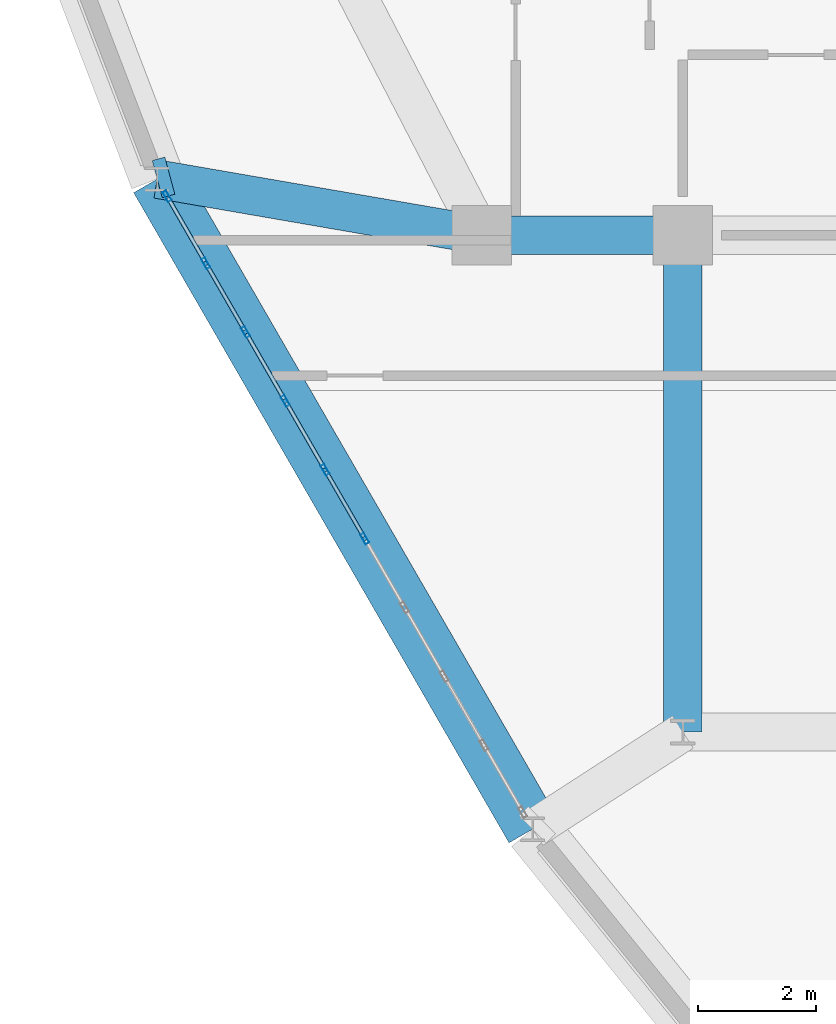
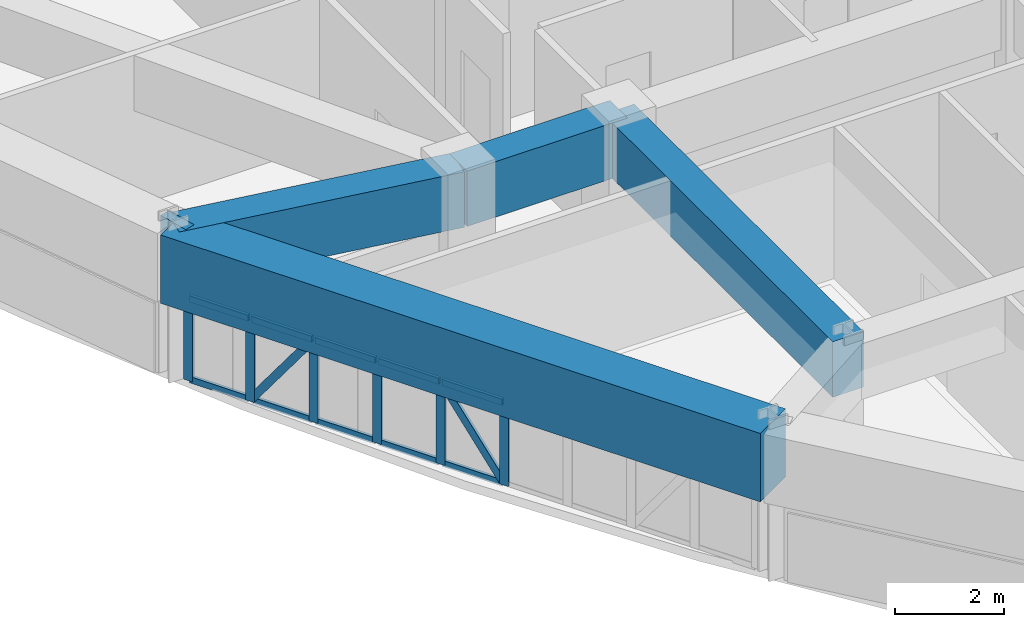
# One storey, part 4 of 14: 18 members, 5 beams, 1 element without a shape of its own.
"""IFC4 building model written with IfcOpenShell, lengths in metres."""

from ifc_helpers import new_model, si_unit, derived_unit, direction, frame, origin, origin_2d, place, context, subcontext, project, spatial, rectangle, hollow_rectangle, extrude, source, transform, mapped, material, layer, layer_set, material_profile, profile_set, type_object, element, aggregate, save


model = new_model("IFC4")

# Units and contexts
model_context = context("Model", 3, precision=1e-05, world=origin(), true_north=direction((0.0, 1.0)))
body_context = subcontext(model_context, "Body", "Model", "MODEL_VIEW")
ifc_project = project(units=[si_unit("LENGTHUNIT", "METRE"), si_unit("AREAUNIT", "SQUARE_METRE"), si_unit("VOLUMEUNIT", "CUBIC_METRE"), si_unit("PLANEANGLEUNIT", "RADIAN"), si_unit("MASSUNIT", "GRAM", prefix="KILO"), derived_unit("THERMALTRANSMITTANCEUNIT", [(si_unit("POWERUNIT", "WATT"), 1), (si_unit("LENGTHUNIT", "METRE"), -2), (si_unit("THERMODYNAMICTEMPERATUREUNIT", "KELVIN"), -1)])], contexts=[model_context])

# Site, building, storey
site_placement = place(None, origin())
site = spatial("IfcSite", under=ifc_project, at=site_placement, CompositionType="ELEMENT")
building_placement = place(site_placement, origin())
building = spatial("IfcBuilding", under=site, at=building_placement, Name="Korsvarv Bourse and Concert Hall", CompositionType="ELEMENT")
storey_placement = place(building_placement, frame((0.0, 0.0, 175.800048828125)))
storey = spatial("IfcBuildingStorey", under=building, at=storey_placement, Name="L45", CompositionType="ELEMENT", Elevation=175.800048828125)

# Beams
ifc_material_1 = material(Name="Concrete C50/60", Category="concrete")
ifc_material_profile_1 = material_profile(ifc_material_1, rectangle(XDim=0.64990234375, YDim=1.239990234375, at=origin_2d()), Name="RC-BM 650x1240")
ifc_profile_set_1 = profile_set([ifc_material_profile_1], Name="Concrete C50/60")
beam_type_1 = type_object("IfcBeamType", Name="BM-TR-SPN", PredefinedType="BEAM", material=ifc_profile_set_1)
shared_shape_1 = source(origin(), body_context, "Body", "SweptSolid", [
    extrude(rectangle(XDim=0.64990234375, YDim=1.239990234375, at=origin_2d()), origin(), (0.0, 0.0, 1.0), 3.400146484375),
])
beam_1_placement = place(storey_placement, frame((24.199951171875, 32.39990234375, 2.780029296875), z_axis=(1.0, 0.0, 0.0), x_axis=(0.0, 1.0, 0.0)))
element("IfcBeam", 1, at=beam_1_placement, inside=storey, type_object=beam_type_1, Name="L45 beam B-TRS", PredefinedType="BEAM", context=body_context, shape_type="MappedRepresentation", body=[
    mapped(shared_shape_1, transform((0.0, 0.0, 0.0), scale=1.0)),
])
shared_shape_2 = source(origin(), body_context, "Body", "SweptSolid", [
    extrude(rectangle(XDim=0.64990234375, YDim=1.239990234375, at=origin_2d()), origin(), (0.0, 0.0, 1.0), 8.39990234375),
])
beam_2_placement = place(storey_placement, frame((27.60009765625, 24.0, 2.780029296875), z_axis=(0.0, 1.0, 0.0), x_axis=(-1.0, 0.0, 0.0)))
element("IfcBeam", 2, at=beam_2_placement, inside=storey, type_object=beam_type_1, Name="L45 beam B-TRS", PredefinedType="BEAM", context=body_context, shape_type="MappedRepresentation", body=[
    mapped(shared_shape_2, transform((0.0, 0.0, 0.0), scale=1.0)),
])
ifc_material_profile_2 = material_profile(ifc_material_1, rectangle(XDim=0.919921875, YDim=1.530029296875, at=origin_2d()), Name="RC-BM 920x1530")
ifc_profile_set_2 = profile_set([ifc_material_profile_2], Name="Concrete C50/60")
beam_type_2 = type_object("IfcBeamType", Name="BM-TR-154", PredefinedType="BEAM", material=ifc_profile_set_2)
shared_shape_3 = source(origin(), body_context, "Body", "SweptSolid", [
    extrude(rectangle(XDim=0.919921875, YDim=1.530029296875, at=origin_2d()), origin(), (0.0, 0.0, 1.0), 12.692138671875),
])
beam_3_placement = place(storey_placement, frame((18.71435546875, 33.347900390625, 2.635009765625), z_axis=(0.499993308569, -0.866029267049, 0.0), x_axis=(0.866029267049, 0.499993308569, 0.0)))
element("IfcBeam", 3, at=beam_3_placement, inside=storey, type_object=beam_type_2, Name="L45 beam B-TR6", PredefinedType="BEAM", context=body_context, shape_type="MappedRepresentation", body=[
    mapped(shared_shape_3, transform((0.0, 0.0, 0.0), scale=1.0)),
])
shared_shape_4 = source(origin(), body_context, "Body", "SweptSolid", [
    extrude(rectangle(XDim=0.64990234375, YDim=1.239990234375, at=origin_2d()), origin(), (0.0, 0.0, 1.0), 5.56689453125),
])
beam_4_placement = place(storey_placement, frame((18.71435546875, 33.347900390625, 2.780029296875), z_axis=(0.985393700019, -0.170291679077, 0.0), x_axis=(0.170291679077, 0.985393700019, 0.0)))
element("IfcBeam", 4, at=beam_4_placement, inside=storey, type_object=beam_type_1, Name="L45 beam B-TRS", PredefinedType="BEAM", context=body_context, shape_type="MappedRepresentation", body=[
    mapped(shared_shape_4, transform((0.0, 0.0, 0.0), scale=1.0)),
])
shared_shape_5 = source(origin(), body_context, "Body", "SweptSolid", [
    extrude(rectangle(XDim=0.64990234375, YDim=1.239990234375, at=origin_2d()), origin(), (0.0, 0.0, 1.0), 0.220703125),
])
beam_5_placement = place(storey_placement, frame((18.71435546875, 33.347900390625, 2.780029296875), z_axis=(0.965348336517, 0.260964727856, 0.0), x_axis=(-0.260964727856, 0.965348336517, 0.0)))
element("IfcBeam", 5, at=beam_5_placement, inside=storey, type_object=beam_type_1, Name="L45 beam B-TRS", PredefinedType="BEAM", context=body_context, shape_type="MappedRepresentation", body=[
    mapped(shared_shape_5, transform((0.0, 0.0, 0.0), scale=1.0)),
])

# Curtain wall, members
ifc_material_2 = material(Name="Anodised aluminium and triple low-E glazing", Category="glass")
ifc_layer = layer(ifc_material_2, 0.199951171875)
ifc_layer_set = layer_set([ifc_layer], Name="Anodised aluminium and triple low-E glazing")
curtain_wall_type = type_object("IfcCurtainWallType", Name="CW-SYS-3", PredefinedType="NOTDEFINED", material=ifc_layer_set)
curtain_wall_placement = place(storey_placement, origin())
curtain_wall = element("IfcCurtainWall", 6, at=curtain_wall_placement, inside=storey, type_object=curtain_wall_type, Name="L45 CW3 curtain wall CW-L45-F07", PredefinedType="NOTDEFINED")
ifc_material_3 = material(Name="Extruded aluminium EN AW-6063 T66", Category="aluminium")
ifc_material_profile_3 = material_profile(ifc_material_3, hollow_rectangle(XDim=0.070068359375, YDim=0.18994140625, WallThickness=0.0048828125, at=origin_2d()), Name="ALU-M 70x190")
ifc_profile_set_3 = profile_set([ifc_material_profile_3], Name="Extruded aluminium EN AW-6063 T66")
member_type_1 = type_object("IfcMemberType", Name="CWM-190", PredefinedType="MULLION", material=ifc_profile_set_3)
shared_shape_6 = source(origin(), body_context, "Body", "SweptSolid", [
    extrude(hollow_rectangle(XDim=0.070068359375, YDim=0.18994140625, WallThickness=0.0048828125, at=origin_2d()), origin(), (0.0, 0.0, 1.0), 1.869873046875),
])
member_1_placement = place(storey_placement, frame((18.880859375, 33.0595703125, 0.0), z_axis=(0.0, 0.0, 1.0), x_axis=(0.866028642731, 0.499994389938, 0.0)))
member_1 = element("IfcMember", 7, at=member_1_placement, type_object=member_type_1, Name="CW3 mullion 1", PredefinedType="MULLION", context=body_context, shape_type="MappedRepresentation", body=[
    mapped(shared_shape_6, transform((0.0, 0.0, 0.0), scale=1.0)),
])
member_2_placement = place(storey_placement, frame((19.535400390625, 31.926025390625, 0.0), z_axis=(0.0, 0.0, 1.0), x_axis=(0.866028642731, 0.499994389938, 0.0)))
member_2 = element("IfcMember", 8, at=member_2_placement, type_object=member_type_1, Name="CW3 mullion 2", PredefinedType="MULLION", context=body_context, shape_type="MappedRepresentation", body=[
    mapped(shared_shape_6, transform((0.0, 0.0, 0.0), scale=1.0)),
])
member_3_placement = place(storey_placement, frame((20.20751953125, 30.761962890625, 0.0), z_axis=(0.0, 0.0, 1.0), x_axis=(0.866028642731, 0.499994389938, 0.0)))
member_3 = element("IfcMember", 9, at=member_3_placement, type_object=member_type_1, Name="CW3 mullion 3", PredefinedType="MULLION", context=body_context, shape_type="MappedRepresentation", body=[
    mapped(shared_shape_6, transform((0.0, 0.0, 0.0), scale=1.0)),
])
member_4_placement = place(storey_placement, frame((20.87939453125, 29.59814453125, 0.0), z_axis=(0.0, 0.0, 1.0), x_axis=(0.866028642731, 0.499994389938, 0.0)))
member_4 = element("IfcMember", 10, at=member_4_placement, type_object=member_type_1, Name="CW3 mullion 4", PredefinedType="MULLION", context=body_context, shape_type="MappedRepresentation", body=[
    mapped(shared_shape_6, transform((0.0, 0.0, 0.0), scale=1.0)),
])
member_5_placement = place(storey_placement, frame((21.551513671875, 28.43408203125, 0.0), z_axis=(0.0, 0.0, 1.0), x_axis=(0.866028642731, 0.499994389938, 0.0)))
member_5 = element("IfcMember", 11, at=member_5_placement, type_object=member_type_1, Name="CW3 mullion 5", PredefinedType="MULLION", context=body_context, shape_type="MappedRepresentation", body=[
    mapped(shared_shape_6, transform((0.0, 0.0, 0.0), scale=1.0)),
])
member_6_placement = place(storey_placement, frame((22.223388671875, 27.27001953125, 0.0), z_axis=(0.0, 0.0, 1.0), x_axis=(0.866028642731, 0.499994389938, 0.0)))
member_6 = element("IfcMember", 12, at=member_6_placement, type_object=member_type_1, Name="CW3 mullion 6", PredefinedType="MULLION", context=body_context, shape_type="MappedRepresentation", body=[
    mapped(shared_shape_6, transform((0.0, 0.0, 0.0), scale=1.0)),
])
ifc_material_profile_4 = material_profile(ifc_material_3, hollow_rectangle(XDim=0.06494140625, YDim=0.139892578125, WallThickness=0.00390625, at=origin_2d()), Name="ALU-T 65x140")
ifc_profile_set_4 = profile_set([ifc_material_profile_4], Name="Extruded aluminium EN AW-6063 T66")
member_type_2 = type_object("IfcMemberType", Name="CWT-140", PredefinedType="USERDEFINED", material=ifc_profile_set_4)
shared_shape_7 = source(origin(), body_context, "Body", "SweptSolid", [
    extrude(hollow_rectangle(XDim=0.06494140625, YDim=0.139892578125, WallThickness=0.00390625, at=origin_2d()), origin(), (0.0, 0.0, 1.0), 1.239013671875),
])
member_7_placement = place(storey_placement, frame((18.8984375, 33.029296875, 0.032470703125), z_axis=(0.499932836684, -0.86606417707, 0.0), x_axis=(0.86606417707, 0.499932836684, 0.0)))
member_7 = element("IfcMember", 13, at=member_7_placement, type_object=member_type_2, Name="CW3 transom 1.1", ObjectType="TRANSOM", PredefinedType="USERDEFINED", context=body_context, shape_type="MappedRepresentation", body=[
    mapped(shared_shape_7, transform((0.0, 0.0, 0.0), scale=1.0)),
])
member_8_placement = place(storey_placement, frame((18.8984375, 33.029296875, 1.83740234375), z_axis=(0.499932836684, -0.86606417707, 0.0), x_axis=(0.86606417707, 0.499932836684, 0.0)))
member_8 = element("IfcMember", 14, at=member_8_placement, type_object=member_type_2, Name="CW3 transom 1.2", ObjectType="TRANSOM", PredefinedType="USERDEFINED", context=body_context, shape_type="MappedRepresentation", body=[
    mapped(shared_shape_7, transform((0.0, 0.0, 0.0), scale=1.0)),
])
shared_shape_8 = source(origin(), body_context, "Body", "SweptSolid", [
    extrude(hollow_rectangle(XDim=0.06494140625, YDim=0.139892578125, WallThickness=0.00390625, at=origin_2d()), origin(), (0.0, 0.0, 1.0), 1.274169921875),
])
member_9_placement = place(storey_placement, frame((19.552978515625, 31.895751953125, 0.032470703125), z_axis=(0.499910436417, -0.866077107169, 0.0), x_axis=(0.866077107169, 0.499910436417, 0.0)))
member_9 = element("IfcMember", 15, at=member_9_placement, type_object=member_type_2, Name="CW3 transom 2.1", ObjectType="TRANSOM", PredefinedType="USERDEFINED", context=body_context, shape_type="MappedRepresentation", body=[
    mapped(shared_shape_8, transform((0.0, 0.0, 0.0), scale=1.0)),
])
member_10_placement = place(storey_placement, frame((19.552978515625, 31.895751953125, 1.83740234375), z_axis=(0.499910436417, -0.866077107169, 0.0), x_axis=(0.866077107169, 0.499910436417, 0.0)))
member_10 = element("IfcMember", 16, at=member_10_placement, type_object=member_type_2, Name="CW3 transom 2.2", ObjectType="TRANSOM", PredefinedType="USERDEFINED", context=body_context, shape_type="MappedRepresentation", body=[
    mapped(shared_shape_8, transform((0.0, 0.0, 0.0), scale=1.0)),
])
ifc_material_profile_5 = material_profile(ifc_material_3, hollow_rectangle(XDim=0.06494140625, YDim=0.1650390625, WallThickness=0.0048828125, at=origin_2d()), Name="ALU-M 65x165")
ifc_profile_set_5 = profile_set([ifc_material_profile_5], Name="Extruded aluminium EN AW-6063 T66")
member_type_3 = type_object("IfcMemberType", Name="CWM-165", PredefinedType="MULLION", material=ifc_profile_set_5)
shared_shape_9 = source(origin(), body_context, "Body", "SweptSolid", [
    extrude(hollow_rectangle(XDim=0.06494140625, YDim=0.1650390625, WallThickness=0.0048828125, at=origin_2d()), origin(), (0.0, 0.0, 1.0), 2.15673828125),
])
member_11_placement = place(storey_placement, frame((19.552978515625, 31.895751953125, 0.06494140625), z_axis=(0.295351616282, -0.511686203754, 0.806811410211), x_axis=(0.866077107169, 0.499910436417, 0.0)))
member_11 = element("IfcMember", 17, at=member_11_placement, type_object=member_type_3, Name="CW3 diagonal mullion 2", PredefinedType="MULLION", context=body_context, shape_type="MappedRepresentation", body=[
    mapped(shared_shape_9, transform((0.0, 0.0, 0.0), scale=1.0)),
])
shared_shape_10 = source(origin(), body_context, "Body", "SweptSolid", [
    extrude(hollow_rectangle(XDim=0.06494140625, YDim=0.139892578125, WallThickness=0.00390625, at=origin_2d()), origin(), (0.0, 0.0, 1.0), 1.27392578125),
])
member_12_placement = place(storey_placement, frame((20.224853515625, 30.731689453125, 0.032470703125), z_axis=(0.499993407537, -0.866029209911, 0.0), x_axis=(0.866029209911, 0.499993407537, 0.0)))
member_12 = element("IfcMember", 18, at=member_12_placement, type_object=member_type_2, Name="CW3 transom 3.1", ObjectType="TRANSOM", PredefinedType="USERDEFINED", context=body_context, shape_type="MappedRepresentation", body=[
    mapped(shared_shape_10, transform((0.0, 0.0, 0.0), scale=1.0)),
])
member_13_placement = place(storey_placement, frame((20.224853515625, 30.731689453125, 1.83740234375), z_axis=(0.499993407537, -0.866029209911, 0.0), x_axis=(0.866029209911, 0.499993407537, 0.0)))
member_13 = element("IfcMember", 19, at=member_13_placement, type_object=member_type_2, Name="CW3 transom 3.2", ObjectType="TRANSOM", PredefinedType="USERDEFINED", context=body_context, shape_type="MappedRepresentation", body=[
    mapped(shared_shape_10, transform((0.0, 0.0, 0.0), scale=1.0)),
])
member_14_placement = place(storey_placement, frame((20.89697265625, 29.567626953125, 0.032470703125), z_axis=(0.499993407537, -0.866029209911, 0.0), x_axis=(0.866029209911, 0.499993407537, 0.0)))
member_14 = element("IfcMember", 20, at=member_14_placement, type_object=member_type_2, Name="CW3 transom 4.1", ObjectType="TRANSOM", PredefinedType="USERDEFINED", context=body_context, shape_type="MappedRepresentation", body=[
    mapped(shared_shape_10, transform((0.0, 0.0, 0.0), scale=1.0)),
])
member_15_placement = place(storey_placement, frame((20.89697265625, 29.567626953125, 1.83740234375), z_axis=(0.499993407537, -0.866029209911, 0.0), x_axis=(0.866029209911, 0.499993407537, 0.0)))
member_15 = element("IfcMember", 21, at=member_15_placement, type_object=member_type_2, Name="CW3 transom 4.2", ObjectType="TRANSOM", PredefinedType="USERDEFINED", context=body_context, shape_type="MappedRepresentation", body=[
    mapped(shared_shape_10, transform((0.0, 0.0, 0.0), scale=1.0)),
])
member_16_placement = place(storey_placement, frame((21.56884765625, 28.40380859375, 0.032470703125), z_axis=(0.499993407537, -0.866029209911, 0.0), x_axis=(0.866029209911, 0.499993407537, 0.0)))
member_16 = element("IfcMember", 22, at=member_16_placement, type_object=member_type_2, Name="CW3 transom 5.1", ObjectType="TRANSOM", PredefinedType="USERDEFINED", context=body_context, shape_type="MappedRepresentation", body=[
    mapped(shared_shape_10, transform((0.0, 0.0, 0.0), scale=1.0)),
])
member_17_placement = place(storey_placement, frame((21.56884765625, 28.40380859375, 1.83740234375), z_axis=(0.499993407537, -0.866029209911, 0.0), x_axis=(0.866029209911, 0.499993407537, 0.0)))
member_17 = element("IfcMember", 23, at=member_17_placement, type_object=member_type_2, Name="CW3 transom 5.2", ObjectType="TRANSOM", PredefinedType="USERDEFINED", context=body_context, shape_type="MappedRepresentation", body=[
    mapped(shared_shape_10, transform((0.0, 0.0, 0.0), scale=1.0)),
])
shared_shape_11 = source(origin(), body_context, "Body", "SweptSolid", [
    extrude(hollow_rectangle(XDim=0.06494140625, YDim=0.1650390625, WallThickness=0.0048828125, at=origin_2d()), origin(), (0.0, 0.0, 1.0), 2.156494140625),
])
member_18_placement = place(storey_placement, frame((22.205810546875, 27.300537109375, 0.06494140625), z_axis=(-0.295368724234, 0.511602631205, 0.806858143969), x_axis=(-0.866029209911, -0.499993407537, 0.0)))
member_18 = element("IfcMember", 24, at=member_18_placement, type_object=member_type_3, Name="CW3 diagonal mullion 5", PredefinedType="MULLION", context=body_context, shape_type="MappedRepresentation", body=[
    mapped(shared_shape_11, transform((0.0, 0.0, 0.0), scale=1.0)),
])
aggregate(curtain_wall, [member_1, member_2, member_3, member_4, member_5, member_6, member_7, member_8, member_9, member_10, member_11, member_12, member_13, member_14, member_15, member_16, member_17, member_18])

save(model, "model.ifc")
